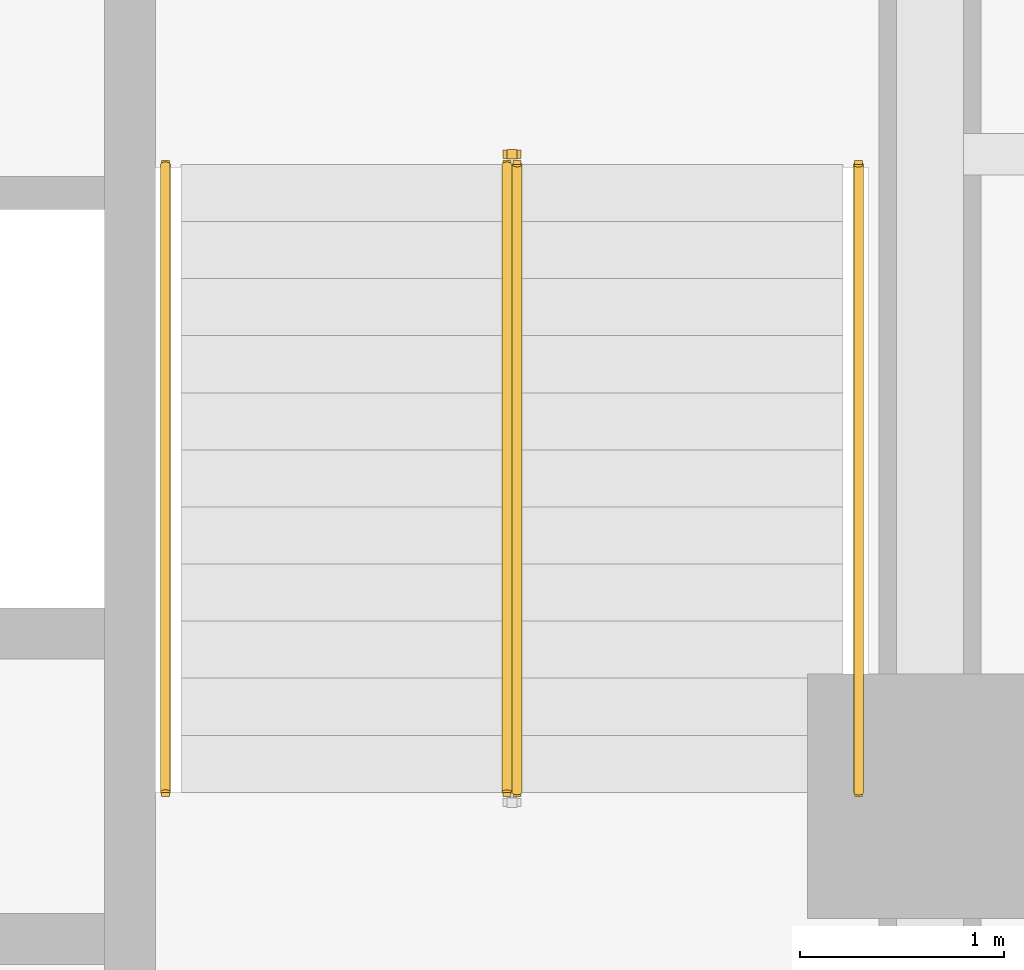
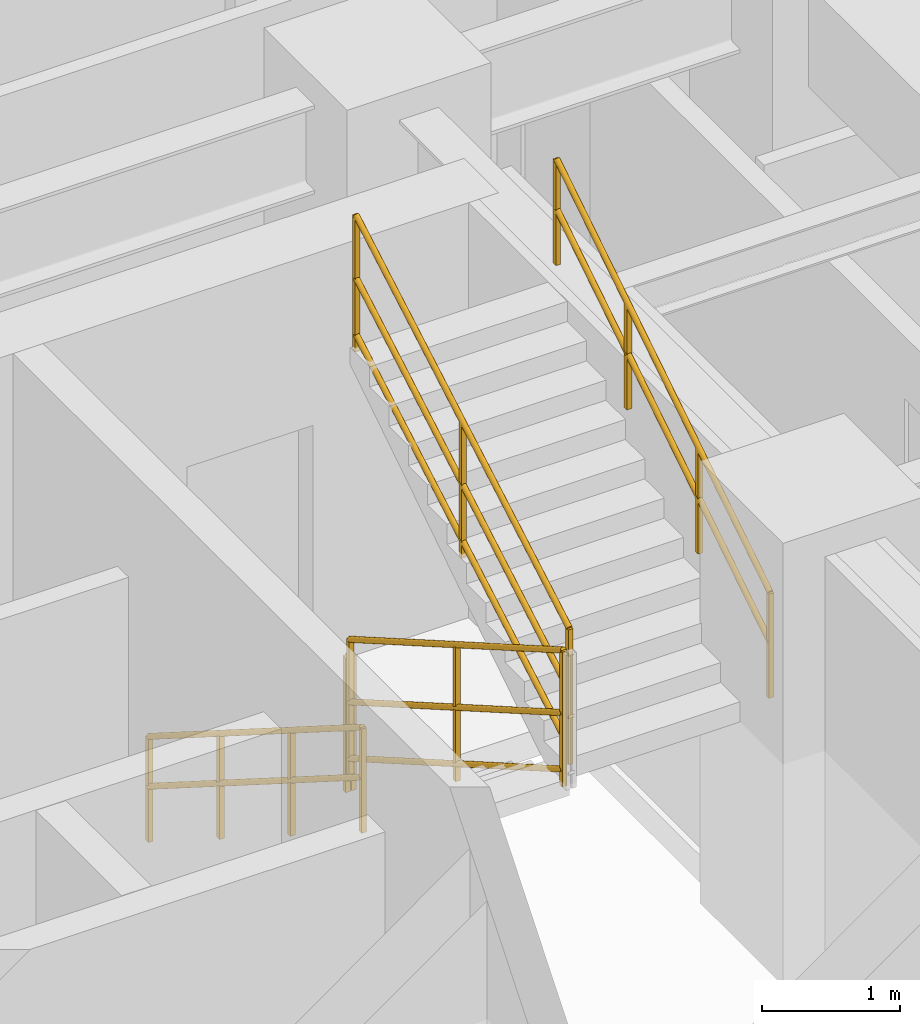
# One storey, part 8 of 9: 5 railings.
"""IFC4 building model written with IfcOpenShell, lengths in metres."""

from ifc_helpers import new_model, entity, si_unit, converted_unit, direction, frame, origin_with_axes, origin_2d_with_axis, place, context, subcontext, project, spatial, rectangle, circle, extrude, material, type_object, element, save


model = new_model("IFC4")

# Units and contexts
model_context = context("Model", 3, precision=1e-05, world=origin_with_axes(), true_north=direction((0.0, 1.0)))
body_context = subcontext(model_context, "Body", "Model", "MODEL_VIEW")
ifc_project = project(units=[si_unit("LENGTHUNIT", "METRE"), si_unit("AREAUNIT", "SQUARE_METRE"), si_unit("VOLUMEUNIT", "CUBIC_METRE"), converted_unit("PLANEANGLEUNIT", "DEGREE", entity("IfcPlaneAngleMeasure", 0.017453292519943295), si_unit("PLANEANGLEUNIT", "RADIAN"), dimensions=[0, 0, 0, 0, 0, 0, 0]), si_unit("MASSUNIT", "GRAM", prefix="KILO"), si_unit("THERMODYNAMICTEMPERATUREUNIT", "KELVIN")], contexts=[model_context])

# Site, building, storey
site_placement = place(None, origin_with_axes())
site = spatial("IfcSite", under=ifc_project, at=site_placement, CompositionType="ELEMENT")
building_placement = place(site_placement, origin_with_axes())
building = spatial("IfcBuilding", under=site, at=building_placement, Name="Varnlund Millrace Tower", CompositionType="ELEMENT")
storey_placement = place(building_placement, frame((0.0, 0.0, 93.0), z_axis=(0.0, 0.0, 1.0), x_axis=(1.0, 0.0, 0.0)))
storey = spatial("IfcBuildingStorey", under=building, at=storey_placement, Name="L22", CompositionType="ELEMENT", Elevation=93.0)

# Railings
ifc_material_1 = material(Name="Painted steel stair well balustrade guard", Category="steel")
railing_type_1 = type_object("IfcRailingType", Name="Type-StairGuard-1150", PredefinedType="GUARDRAIL", material=ifc_material_1)
railing_1_placement = place(storey_placement, frame((0.0, 0.0, -93.0), z_axis=(0.0, 0.0, 1.0), x_axis=(1.0, 0.0, 0.0)))
element("IfcRailing", 1, at=railing_1_placement, inside=storey, type_object=railing_type_1, Name="Type-StairGuard-1150", PredefinedType="GUARDRAIL", context=body_context, shape_type="SweptSolid", body=[
    extrude(circle(Radius=0.024, at=origin_2d_with_axis()), frame((45.975, 21.1, 94.327273), z_axis=(0.0, -0.866696, 0.498836), x_axis=(1.0, 0.0, 0.0)), (0.0, 0.0, 1.0), 3.553725),
    extrude(circle(Radius=0.024, at=origin_2d_with_axis()), frame((45.975, 21.1, 93.277273), z_axis=(0.0, -0.866696, 0.498836), x_axis=(1.0, 0.0, 0.0)), (0.0, 0.0, 1.0), 3.553725),
    extrude(circle(Radius=0.024, at=origin_2d_with_axis()), frame((45.975, 21.1, 93.775273), z_axis=(0.0, -0.866696, 0.498836), x_axis=(1.0, 0.0, 0.0)), (0.0, 0.0, 1.0), 3.553725),
    extrude(rectangle(XDim=0.04, YDim=0.04, at=origin_2d_with_axis()), frame((45.975, 21.1, 93.137273), z_axis=(0.0, 0.0, 1.0), x_axis=(1.0, 0.0, 0.0)), (0.0, 0.0, 1.0), 1.19),
    extrude(rectangle(XDim=0.04, YDim=0.04, at=origin_2d_with_axis()), frame((45.975, 19.56, 94.023636), z_axis=(0.0, 0.0, 1.0), x_axis=(1.0, 0.0, 0.0)), (0.0, 0.0, 1.0), 1.19),
    extrude(rectangle(XDim=0.04, YDim=0.04, at=origin_2d_with_axis()), frame((45.975, 18.02, 94.91), z_axis=(0.0, 0.0, 1.0), x_axis=(1.0, 0.0, 0.0)), (0.0, 0.0, 1.0), 1.19),
])
railing_2_placement = place(storey_placement, frame((0.0, 0.0, -93.0), z_axis=(0.0, 0.0, 1.0), x_axis=(1.0, 0.0, 0.0)))
element("IfcRailing", 2, at=railing_2_placement, inside=storey, type_object=railing_type_1, Name="Type-StairGuard-1150", PredefinedType="GUARDRAIL", context=body_context, shape_type="SweptSolid", body=[
    extrude(circle(Radius=0.024, at=origin_2d_with_axis()), frame((46.025, 18.02, 96.277273), z_axis=(0.0, 0.866696, 0.498836), x_axis=(-1.0, 0.0, 0.0)), (0.0, 0.0, 1.0), 3.553725),
    extrude(circle(Radius=0.024, at=origin_2d_with_axis()), frame((46.025, 18.02, 95.227273), z_axis=(0.0, 0.866696, 0.498836), x_axis=(-1.0, 0.0, 0.0)), (0.0, 0.0, 1.0), 3.553725),
    extrude(circle(Radius=0.024, at=origin_2d_with_axis()), frame((46.025, 18.02, 95.725273), z_axis=(0.0, 0.866696, 0.498836), x_axis=(-1.0, 0.0, 0.0)), (0.0, 0.0, 1.0), 3.553725),
    extrude(rectangle(XDim=0.04, YDim=0.04, at=origin_2d_with_axis()), frame((46.025, 18.02, 95.087273), z_axis=(0.0, 0.0, 1.0), x_axis=(1.0, 0.0, 0.0)), (0.0, 0.0, 1.0), 1.19),
    extrude(rectangle(XDim=0.04, YDim=0.04, at=origin_2d_with_axis()), frame((46.025, 19.56, 95.973636), z_axis=(0.0, 0.0, 1.0), x_axis=(1.0, 0.0, 0.0)), (0.0, 0.0, 1.0), 1.19),
    extrude(rectangle(XDim=0.04, YDim=0.04, at=origin_2d_with_axis()), frame((46.025, 21.1, 96.86), z_axis=(0.0, 0.0, 1.0), x_axis=(1.0, 0.0, 0.0)), (0.0, 0.0, 1.0), 1.19),
])
railing_3_placement = place(storey_placement, frame((0.0, 0.0, -93.0), z_axis=(0.0, 0.0, 1.0), x_axis=(1.0, 0.0, 0.0)))
element("IfcRailing", 3, at=railing_3_placement, inside=storey, type_object=railing_type_1, Name="Type-StairGuard-1150", PredefinedType="GUARDRAIL", context=body_context, shape_type="SweptSolid", body=[
    extrude(circle(Radius=0.024, at=origin_2d_with_axis()), frame((46.025, 21.15, 94.15), z_axis=(-1.0, 0.0, 0.0), x_axis=(0.0, -1.0, 0.0)), (0.0, 0.0, 1.0), 0.05),
    extrude(circle(Radius=0.024, at=origin_2d_with_axis()), frame((46.025, 21.15, 93.1), z_axis=(-1.0, 0.0, 0.0), x_axis=(0.0, -1.0, 0.0)), (0.0, 0.0, 1.0), 0.05),
    extrude(circle(Radius=0.024, at=origin_2d_with_axis()), frame((46.025, 21.15, 93.598), z_axis=(-1.0, 0.0, 0.0), x_axis=(0.0, -1.0, 0.0)), (0.0, 0.0, 1.0), 0.05),
    extrude(rectangle(XDim=0.04, YDim=0.04, at=origin_2d_with_axis()), frame((46.025, 21.15, 92.96), z_axis=(0.0, 0.0, 1.0), x_axis=(1.0, 0.0, 0.0)), (0.0, 0.0, 1.0), 1.19),
    extrude(rectangle(XDim=0.04, YDim=0.04, at=origin_2d_with_axis()), frame((45.975, 21.15, 92.96), z_axis=(0.0, 0.0, 1.0), x_axis=(1.0, 0.0, 0.0)), (0.0, 0.0, 1.0), 1.19),
])
ifc_material_2 = material(Name="Brushed architectural bronze stair handrail", Category="aluminium")
railing_type_2 = type_object("IfcRailingType", Name="Type-StairHandrail-900", PredefinedType="HANDRAIL", material=ifc_material_2)
railing_4_placement = place(storey_placement, frame((0.0, 0.0, -93.0), z_axis=(0.0, 0.0, 1.0), x_axis=(1.0, 0.0, 0.0)))
element("IfcRailing", 4, at=railing_4_placement, inside=storey, type_object=railing_type_2, Name="Type-StairHandrail-900", PredefinedType="HANDRAIL", context=body_context, shape_type="SweptSolid", body=[
    extrude(circle(Radius=0.024, at=origin_2d_with_axis()), frame((44.3, 21.1, 94.056995), z_axis=(0.0, -0.844902, 0.534922), x_axis=(1.0, 0.0, 0.0)), (0.0, 0.0, 1.0), 3.645394),
    extrude(circle(Radius=0.024, at=origin_2d_with_axis()), frame((44.3, 21.1, 93.617134), z_axis=(0.0, -0.844902, 0.534922), x_axis=(1.0, 0.0, 0.0)), (0.0, 0.0, 1.0), 3.645394),
    extrude(rectangle(XDim=0.04, YDim=0.04, at=origin_2d_with_axis()), frame((44.3, 21.1, 93.137273), z_axis=(0.0, 0.0, 1.0), x_axis=(1.0, 0.0, 0.0)), (0.0, 0.0, 1.0), 0.919722),
    extrude(rectangle(XDim=0.04, YDim=0.04, at=origin_2d_with_axis()), frame((44.3, 20.073333, 93.787273), z_axis=(0.0, 0.0, 1.0), x_axis=(1.0, 0.0, 0.0)), (0.0, 0.0, 1.0), 0.919722),
    extrude(rectangle(XDim=0.04, YDim=0.04, at=origin_2d_with_axis()), frame((44.3, 19.046667, 94.437273), z_axis=(0.0, 0.0, 1.0), x_axis=(1.0, 0.0, 0.0)), (0.0, 0.0, 1.0), 0.919722),
    extrude(rectangle(XDim=0.04, YDim=0.04, at=origin_2d_with_axis()), frame((44.3, 18.02, 95.087273), z_axis=(0.0, 0.0, 1.0), x_axis=(1.0, 0.0, 0.0)), (0.0, 0.0, 1.0), 0.919722),
])
railing_5_placement = place(storey_placement, frame((0.0, 0.0, -93.0), z_axis=(0.0, 0.0, 1.0), x_axis=(1.0, 0.0, 0.0)))
element("IfcRailing", 5, at=railing_5_placement, inside=storey, type_object=railing_type_2, Name="Type-StairHandrail-900", PredefinedType="HANDRAIL", context=body_context, shape_type="SweptSolid", body=[
    extrude(circle(Radius=0.024, at=origin_2d_with_axis()), frame((47.7, 18.02, 96.006995), z_axis=(0.0, 0.844902, 0.534922), x_axis=(-1.0, 0.0, 0.0)), (0.0, 0.0, 1.0), 3.645394),
    extrude(circle(Radius=0.024, at=origin_2d_with_axis()), frame((47.7, 18.02, 95.567134), z_axis=(0.0, 0.844902, 0.534922), x_axis=(-1.0, 0.0, 0.0)), (0.0, 0.0, 1.0), 3.645394),
    extrude(rectangle(XDim=0.04, YDim=0.04, at=origin_2d_with_axis()), frame((47.7, 18.02, 95.087273), z_axis=(0.0, 0.0, 1.0), x_axis=(1.0, 0.0, 0.0)), (0.0, 0.0, 1.0), 0.919722),
    extrude(rectangle(XDim=0.04, YDim=0.04, at=origin_2d_with_axis()), frame((47.7, 19.046667, 95.737273), z_axis=(0.0, 0.0, 1.0), x_axis=(1.0, 0.0, 0.0)), (0.0, 0.0, 1.0), 0.919722),
    extrude(rectangle(XDim=0.04, YDim=0.04, at=origin_2d_with_axis()), frame((47.7, 20.073333, 96.387273), z_axis=(0.0, 0.0, 1.0), x_axis=(1.0, 0.0, 0.0)), (0.0, 0.0, 1.0), 0.919722),
    extrude(rectangle(XDim=0.04, YDim=0.04, at=origin_2d_with_axis()), frame((47.7, 21.1, 97.037273), z_axis=(0.0, 0.0, 1.0), x_axis=(1.0, 0.0, 0.0)), (0.0, 0.0, 1.0), 0.919722),
])

save(model, "model.ifc")
